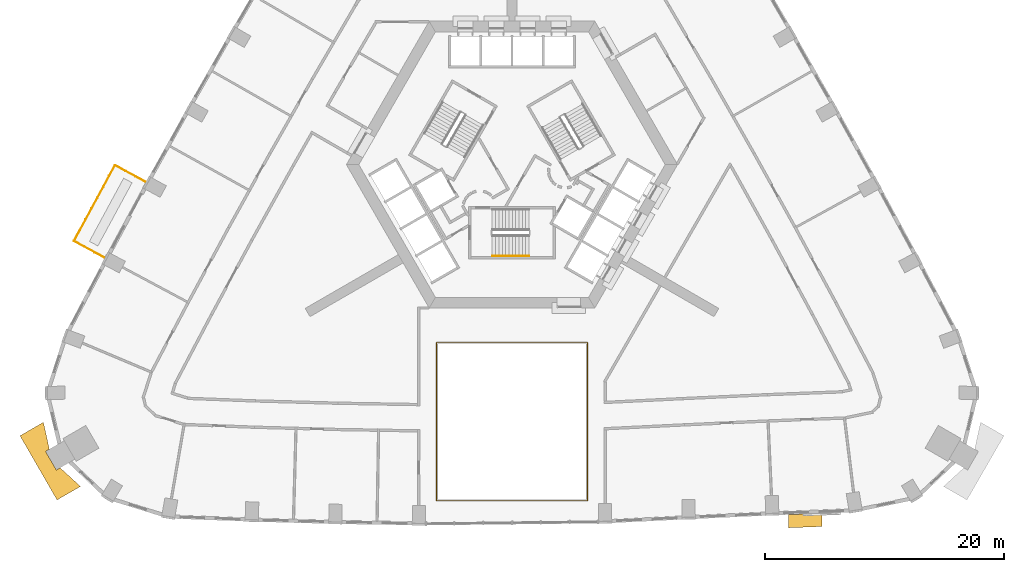
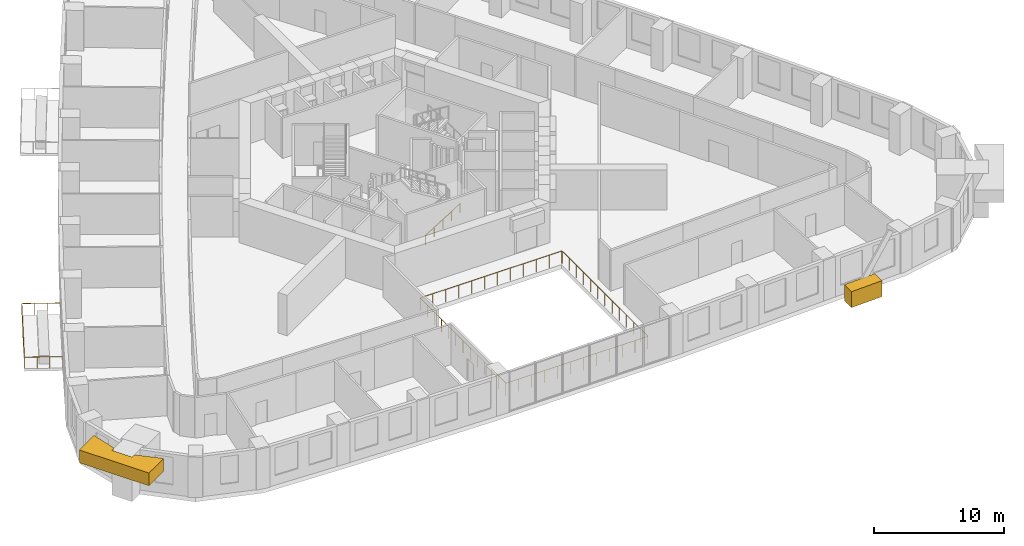
# One storey, part 13 of 15: 3 railings, 2 coverings.
"""IFC4 building model written with IfcOpenShell, lengths in metres."""

from ifc_helpers import new_model, si_unit, direction, frame, origin, origin_2d, place, context, subcontext, project, spatial, polyline, circle, outline, extrude, material, type_object, element, save


model = new_model("IFC4")

# Units and contexts
model_context = context("Model", 3, precision=1e-05, world=origin(), true_north=direction((0.0, 1.0)))
body_context = subcontext(model_context, "Body", "Model", "MODEL_VIEW")
ifc_project = project(units=[si_unit("LENGTHUNIT", "METRE"), si_unit("AREAUNIT", "SQUARE_METRE"), si_unit("VOLUMEUNIT", "CUBIC_METRE"), si_unit("PLANEANGLEUNIT", "RADIAN"), si_unit("MASSUNIT", "GRAM", prefix="KILO")], contexts=[model_context])

# Site, building, storey
site_placement = place(None, origin())
site = spatial("IfcSite", under=ifc_project, at=site_placement, CompositionType="ELEMENT")
building_placement = place(site_placement, origin())
building = spatial("IfcBuilding", under=site, at=building_placement, Name="Entoto Arch Interchange Tower", CompositionType="ELEMENT")
storey_placement = place(building_placement, frame((0.0, 0.0, 120.199951171875)))
storey = spatial("IfcBuildingStorey", under=building, at=storey_placement, Name="L26", CompositionType="ELEMENT", Elevation=120.199951171875)

# Railings
ifc_material_1 = material(Name="Stainless steel 1.4301", Category="steel")
railing_type_1 = type_object("IfcRailingType", Name="ATRIUM GUARD 1200 STEEL AND GLASS", PredefinedType="GUARDRAIL", material=ifc_material_1)
railing_1_placement = place(storey_placement, frame((6.320068359375, -25.6298828125, 0.0)))
element("IfcRailing", 1, at=railing_1_placement, inside=storey, type_object=railing_type_1, Name="Atrium guard L26", PredefinedType="GUARDRAIL", context=body_context, shape_type="SweptSolid", body=[
    extrude(circle(Radius=0.02392578125, at=origin_2d()), frame((0.0, 0.0, 1.17578125), z_axis=(-1.0, 0.0, 0.0), x_axis=(0.0, -1.0, 0.0)), (0.0, 0.0, 1.0), 12.64013671875),
    extrude(circle(Radius=0.02392578125, at=origin_2d()), frame((-12.64013671875, 0.0, 1.17578125), z_axis=(0.0, 1.0, 0.0), x_axis=(-1.0, 0.0, 0.0)), (0.0, 0.0, 1.0), 13.25),
    extrude(circle(Radius=0.02392578125, at=origin_2d()), frame((-12.64013671875, 13.25, 1.17578125), z_axis=(1.0, 0.0, 0.0), x_axis=(0.0, 1.0, 0.0)), (0.0, 0.0, 1.0), 12.64013671875),
    extrude(circle(Radius=0.02392578125, at=origin_2d()), frame((0.0, 13.25, 1.17578125), z_axis=(0.0, -1.0, 0.0), x_axis=(1.0, 0.0, 0.0)), (0.0, 0.0, 1.0), 13.25),
    extrude(circle(Radius=0.02099609375, at=origin_2d()), origin(), (0.0, 0.0, 1.0), 1.15185546875),
    extrude(circle(Radius=0.02099609375, at=origin_2d()), frame((-1.149169921875, 0.0, 0.0)), (0.0, 0.0, 1.0), 1.15185546875),
    extrude(circle(Radius=0.02099609375, at=origin_2d()), frame((-2.298095703125, 0.0, 0.0)), (0.0, 0.0, 1.0), 1.15185546875),
    extrude(circle(Radius=0.02099609375, at=origin_2d()), frame((-3.447265625, 0.0, 0.0)), (0.0, 0.0, 1.0), 1.15185546875),
    extrude(circle(Radius=0.02099609375, at=origin_2d()), frame((-4.596435546875, 0.0, 0.0)), (0.0, 0.0, 1.0), 1.15185546875),
    extrude(circle(Radius=0.02099609375, at=origin_2d()), frame((-5.74560546875, 0.0, 0.0)), (0.0, 0.0, 1.0), 1.15185546875),
    extrude(circle(Radius=0.02099609375, at=origin_2d()), frame((-6.89453125, 0.0, 0.0)), (0.0, 0.0, 1.0), 1.15185546875),
    extrude(circle(Radius=0.02099609375, at=origin_2d()), frame((-8.043701171875, 0.0, 0.0)), (0.0, 0.0, 1.0), 1.15185546875),
    extrude(circle(Radius=0.02099609375, at=origin_2d()), frame((-9.19287109375, 0.0, 0.0)), (0.0, 0.0, 1.0), 1.15185546875),
    extrude(circle(Radius=0.02099609375, at=origin_2d()), frame((-10.342041015625, 0.0, 0.0)), (0.0, 0.0, 1.0), 1.15185546875),
    extrude(circle(Radius=0.02099609375, at=origin_2d()), frame((-11.490966796875, 0.0, 0.0)), (0.0, 0.0, 1.0), 1.15185546875),
    extrude(circle(Radius=0.02099609375, at=origin_2d()), frame((-12.64013671875, 0.0, 0.0)), (0.0, 0.0, 1.0), 1.15185546875),
    extrude(circle(Radius=0.02099609375, at=origin_2d()), frame((-12.64013671875, 1.104248046875, 0.0)), (0.0, 0.0, 1.0), 1.15185546875),
    extrude(circle(Radius=0.02099609375, at=origin_2d()), frame((-12.64013671875, 2.208251953125, 0.0)), (0.0, 0.0, 1.0), 1.15185546875),
    extrude(circle(Radius=0.02099609375, at=origin_2d()), frame((-12.64013671875, 3.3125, 0.0)), (0.0, 0.0, 1.0), 1.15185546875),
    extrude(circle(Radius=0.02099609375, at=origin_2d()), frame((-12.64013671875, 4.416748046875, 0.0)), (0.0, 0.0, 1.0), 1.15185546875),
    extrude(circle(Radius=0.02099609375, at=origin_2d()), frame((-12.64013671875, 5.520751953125, 0.0)), (0.0, 0.0, 1.0), 1.15185546875),
    extrude(circle(Radius=0.02099609375, at=origin_2d()), frame((-12.64013671875, 6.625, 0.0)), (0.0, 0.0, 1.0), 1.15185546875),
    extrude(circle(Radius=0.02099609375, at=origin_2d()), frame((-12.64013671875, 7.729248046875, 0.0)), (0.0, 0.0, 1.0), 1.15185546875),
    extrude(circle(Radius=0.02099609375, at=origin_2d()), frame((-12.64013671875, 8.833251953125, 0.0)), (0.0, 0.0, 1.0), 1.15185546875),
    extrude(circle(Radius=0.02099609375, at=origin_2d()), frame((-12.64013671875, 9.9375, 0.0)), (0.0, 0.0, 1.0), 1.15185546875),
    extrude(circle(Radius=0.02099609375, at=origin_2d()), frame((-12.64013671875, 11.041748046875, 0.0)), (0.0, 0.0, 1.0), 1.15185546875),
    extrude(circle(Radius=0.02099609375, at=origin_2d()), frame((-12.64013671875, 12.145751953125, 0.0)), (0.0, 0.0, 1.0), 1.15185546875),
    extrude(circle(Radius=0.02099609375, at=origin_2d()), frame((-12.64013671875, 13.25, 0.0)), (0.0, 0.0, 1.0), 1.15185546875),
    extrude(circle(Radius=0.02099609375, at=origin_2d()), frame((-11.490966796875, 13.25, 0.0)), (0.0, 0.0, 1.0), 1.15185546875),
    extrude(circle(Radius=0.02099609375, at=origin_2d()), frame((-10.342041015625, 13.25, 0.0)), (0.0, 0.0, 1.0), 1.15185546875),
    extrude(circle(Radius=0.02099609375, at=origin_2d()), frame((-9.19287109375, 13.25, 0.0)), (0.0, 0.0, 1.0), 1.15185546875),
    extrude(circle(Radius=0.02099609375, at=origin_2d()), frame((-8.043701171875, 13.25, 0.0)), (0.0, 0.0, 1.0), 1.15185546875),
    extrude(circle(Radius=0.02099609375, at=origin_2d()), frame((-6.89453125, 13.25, 0.0)), (0.0, 0.0, 1.0), 1.15185546875),
    extrude(circle(Radius=0.02099609375, at=origin_2d()), frame((-5.74560546875, 13.25, 0.0)), (0.0, 0.0, 1.0), 1.15185546875),
    extrude(circle(Radius=0.02099609375, at=origin_2d()), frame((-4.596435546875, 13.25, 0.0)), (0.0, 0.0, 1.0), 1.15185546875),
    extrude(circle(Radius=0.02099609375, at=origin_2d()), frame((-3.447265625, 13.25, 0.0)), (0.0, 0.0, 1.0), 1.15185546875),
    extrude(circle(Radius=0.02099609375, at=origin_2d()), frame((-2.298095703125, 13.25, 0.0)), (0.0, 0.0, 1.0), 1.15185546875),
    extrude(circle(Radius=0.02099609375, at=origin_2d()), frame((-1.149169921875, 13.25, 0.0)), (0.0, 0.0, 1.0), 1.15185546875),
    extrude(circle(Radius=0.02099609375, at=origin_2d()), frame((0.0, 13.25, 0.0)), (0.0, 0.0, 1.0), 1.15185546875),
    extrude(circle(Radius=0.02099609375, at=origin_2d()), frame((0.0, 12.145751953125, 0.0)), (0.0, 0.0, 1.0), 1.15185546875),
    extrude(circle(Radius=0.02099609375, at=origin_2d()), frame((0.0, 11.041748046875, 0.0)), (0.0, 0.0, 1.0), 1.15185546875),
    extrude(circle(Radius=0.02099609375, at=origin_2d()), frame((0.0, 9.9375, 0.0)), (0.0, 0.0, 1.0), 1.15185546875),
    extrude(circle(Radius=0.02099609375, at=origin_2d()), frame((0.0, 8.833251953125, 0.0)), (0.0, 0.0, 1.0), 1.15185546875),
    extrude(circle(Radius=0.02099609375, at=origin_2d()), frame((0.0, 7.729248046875, 0.0)), (0.0, 0.0, 1.0), 1.15185546875),
    extrude(circle(Radius=0.02099609375, at=origin_2d()), frame((0.0, 6.625, 0.0)), (0.0, 0.0, 1.0), 1.15185546875),
    extrude(circle(Radius=0.02099609375, at=origin_2d()), frame((0.0, 5.520751953125, 0.0)), (0.0, 0.0, 1.0), 1.15185546875),
    extrude(circle(Radius=0.02099609375, at=origin_2d()), frame((0.0, 4.416748046875, 0.0)), (0.0, 0.0, 1.0), 1.15185546875),
    extrude(circle(Radius=0.02099609375, at=origin_2d()), frame((0.0, 3.3125, 0.0)), (0.0, 0.0, 1.0), 1.15185546875),
    extrude(circle(Radius=0.02099609375, at=origin_2d()), frame((0.0, 2.208251953125, 0.0)), (0.0, 0.0, 1.0), 1.15185546875),
    extrude(circle(Radius=0.02099609375, at=origin_2d()), frame((0.0, 1.104248046875, 0.0)), (0.0, 0.0, 1.0), 1.15185546875),
])
railing_type_2 = type_object("IfcRailingType", Name="GUARD 1100 STEEL AND GLASS", PredefinedType="GUARDRAIL", material=ifc_material_1)
railing_2_placement = place(storey_placement, frame((-30.6279296875, 1.035888671875, 0.0)))
element("IfcRailing", 2, at=railing_2_placement, inside=storey, type_object=railing_type_2, Name="Balcony guard NW-07 L26", PredefinedType="GUARDRAIL", context=body_context, shape_type="SweptSolid", body=[
    extrude(circle(Radius=0.02392578125, at=origin_2d()), frame((0.0, 0.0, 1.076171875), z_axis=(-0.879299186895, 0.476269818408, 0.0), x_axis=(-0.476269818408, -0.879299186895, 0.0)), (0.0, 0.0, 1.0), 2.949951171875),
    extrude(circle(Radius=0.02392578125, at=origin_2d()), frame((-2.593994140625, 1.405029296875, 1.076171875), z_axis=(-0.476178420537, -0.87934868614, 0.0), x_axis=(0.87934868614, -0.476178420537, 0.0)), (0.0, 0.0, 1.0), 7.209716796875),
    extrude(circle(Radius=0.02392578125, at=origin_2d()), frame((-6.027099609375, -4.934814453125, 1.076171875), z_axis=(0.879299186895, -0.476269818408, 0.0), x_axis=(0.476269818408, 0.879299186895, 0.0)), (0.0, 0.0, 1.0), 2.949951171875),
    extrude(circle(Radius=0.02099609375, at=origin_2d()), origin(), (0.0, 0.0, 1.0), 1.052001953125),
    extrude(circle(Radius=0.02099609375, at=origin_2d()), frame((-0.86474609375, 0.46826171875, 0.0)), (0.0, 0.0, 1.0), 1.052001953125),
    extrude(circle(Radius=0.02099609375, at=origin_2d()), frame((-1.729248046875, 0.936767578125, 0.0)), (0.0, 0.0, 1.0), 1.052001953125),
    extrude(circle(Radius=0.02099609375, at=origin_2d()), frame((-2.593994140625, 1.405029296875, 0.0)), (0.0, 0.0, 1.0), 1.052001953125),
    extrude(circle(Radius=0.02099609375, at=origin_2d()), frame((-3.08447265625, 0.499267578125, 0.0)), (0.0, 0.0, 1.0), 1.052001953125),
    extrude(circle(Radius=0.02099609375, at=origin_2d()), frame((-3.574951171875, -0.40625, 0.0)), (0.0, 0.0, 1.0), 1.052001953125),
    extrude(circle(Radius=0.02099609375, at=origin_2d()), frame((-4.0654296875, -1.31201171875, 0.0)), (0.0, 0.0, 1.0), 1.052001953125),
    extrude(circle(Radius=0.02099609375, at=origin_2d()), frame((-4.5556640625, -2.2177734375, 0.0)), (0.0, 0.0, 1.0), 1.052001953125),
    extrude(circle(Radius=0.02099609375, at=origin_2d()), frame((-5.046142578125, -3.12353515625, 0.0)), (0.0, 0.0, 1.0), 1.052001953125),
    extrude(circle(Radius=0.02099609375, at=origin_2d()), frame((-5.53662109375, -4.029052734375, 0.0)), (0.0, 0.0, 1.0), 1.052001953125),
    extrude(circle(Radius=0.02099609375, at=origin_2d()), frame((-6.027099609375, -4.934814453125, 0.0)), (0.0, 0.0, 1.0), 1.052001953125),
    extrude(circle(Radius=0.02099609375, at=origin_2d()), frame((-5.162353515625, -5.403076171875, 0.0)), (0.0, 0.0, 1.0), 1.052001953125),
    extrude(circle(Radius=0.02099609375, at=origin_2d()), frame((-4.2978515625, -5.87158203125, 0.0)), (0.0, 0.0, 1.0), 1.052001953125),
    extrude(circle(Radius=0.02099609375, at=origin_2d()), frame((-3.43310546875, -6.33984375, 0.0)), (0.0, 0.0, 1.0), 1.052001953125),
])

# Coverings
ifc_material_2 = material(Name="Board-marked precast concrete C50/60", Category="concrete")
covering_type = type_object("IfcCoveringType", Name="PRECAST FRAME COURSE", PredefinedType="CLADDING", material=ifc_material_2)
covering_1_placement = place(storey_placement, frame((0.0, 0.0, 2.60009765625)))
element("IfcCovering", 3, at=covering_1_placement, inside=storey, type_object=covering_type, Name="Corner pilaster head SW L24-L26", PredefinedType="CLADDING", context=body_context, shape_type="SweptSolid", body=[
    extrude(outline(polyline([(-38.070068359375, -25.56005859375), (-41.169921875, -20.18994140625), (-39.2099609375, -19.05908203125), (-38.715087890625, -21.31396484375), (-39.030029296875, -21.49609375), (-38.1298828125, -23.053955078125), (-37.81494140625, -22.8720703125), (-36.10888671875, -24.427978515625), (-38.070068359375, -25.56005859375)])), origin(), (0.0, 0.0, 1.0), 1.199951171875),
])
covering_2_placement = place(storey_placement, frame((0.0, 0.0, -0.64990234375)))
element("IfcCovering", 4, at=covering_2_placement, inside=storey, type_object=covering_type, Name="Fold crease ribbon L26", PredefinedType="CLADDING", context=body_context, shape_type="SweptSolid", body=[
    extrude(outline(polyline([(23.15087890625, -27.889892578125), (23.15087890625, -26.7890625), (25.9208984375, -26.68310546875), (25.9208984375, -27.782958984375), (23.15087890625, -27.889892578125)])), origin(), (0.0, 0.0, 1.0), 1.5),
])

# Railing
railing_type_3 = type_object("IfcRailingType", Name="STAIR HANDRAIL 900 STEEL", PredefinedType="HANDRAIL", material=ifc_material_1)
railing_3_placement = place(storey_placement, frame((-1.64990234375, -5.14990234375, 0.175048828125)))
element("IfcRailing", 5, at=railing_3_placement, inside=storey, type_object=railing_type_3, Name="L26 ST-S stair handrail 1", PredefinedType="HANDRAIL", context=body_context, shape_type="SweptSolid", body=[
    extrude(circle(Radius=0.02392578125, at=origin_2d()), frame((0.0, 0.0, 0.8759765625), z_axis=(0.847979421464, 0.0, 0.530029150871), x_axis=(0.0, 1.0, 0.0)), (0.0, 0.0, 1.0), 3.632080078125),
    extrude(circle(Radius=0.02099609375, at=origin_2d()), origin(), (0.0, 0.0, 1.0), 0.851806640625),
    extrude(circle(Radius=0.02099609375, at=origin_2d()), frame((0.77001953125, 0.0, 0.481201171875)), (0.0, 0.0, 1.0), 0.851806640625),
    extrude(circle(Radius=0.02099609375, at=origin_2d()), frame((1.5400390625, 0.0, 0.96240234375)), (0.0, 0.0, 1.0), 0.851806640625),
    extrude(circle(Radius=0.02099609375, at=origin_2d()), frame((2.309814453125, 0.0, 1.44384765625)), (0.0, 0.0, 1.0), 0.851806640625),
    extrude(circle(Radius=0.02099609375, at=origin_2d()), frame((3.079833984375, 0.0, 1.925048828125)), (0.0, 0.0, 1.0), 0.851806640625),
])

save(model, "model.ifc")
